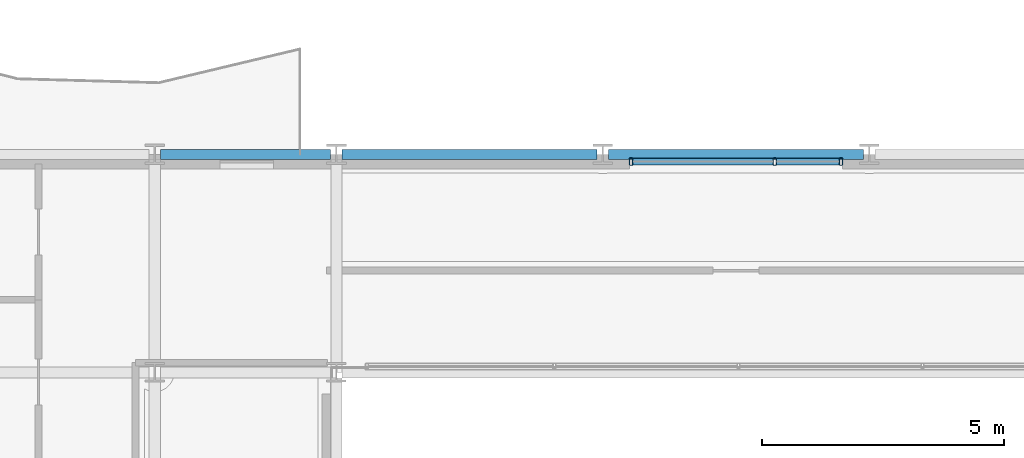
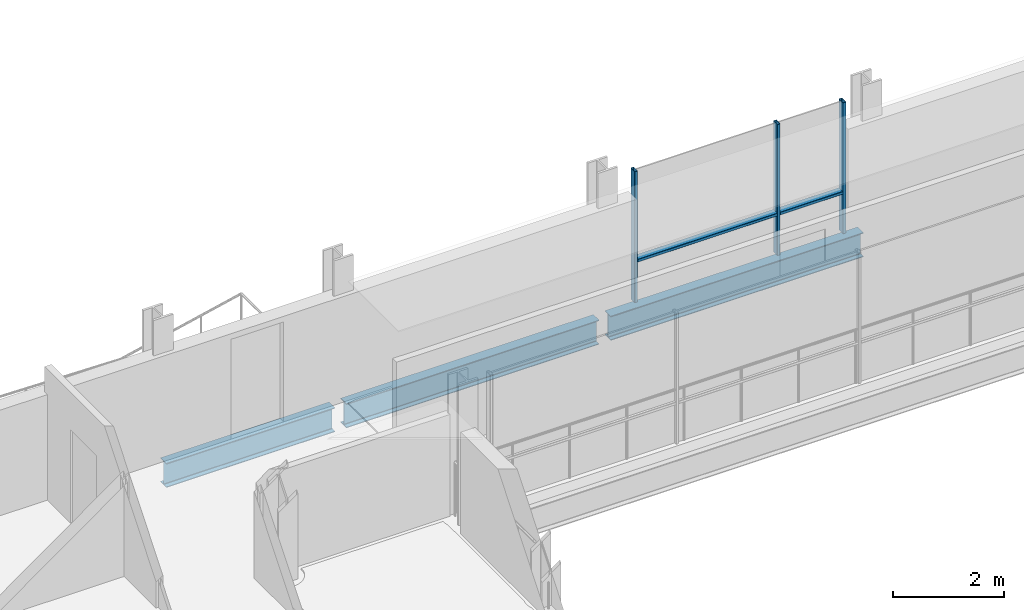
# One storey, part 24 of 41: 5 members, 3 beams, 1 element without a shape of its own.
"""IFC4 building model written with IfcOpenShell, lengths in metres."""

from ifc_helpers import new_model, si_unit, direction, frame, origin, origin_2d, place, context, subcontext, project, spatial, hollow_rectangle, i_section, extrude, material, layer, layer_set, material_profile, profile_set, type_object, element, aggregate, save


model = new_model("IFC4")

# Units and contexts
model_context = context("Model", 3, precision=1e-05, world=origin(), true_north=direction((0.0, 1.0)))
body_context = subcontext(model_context, "Body", "Model", "MODEL_VIEW")
ifc_project = project(units=[si_unit("LENGTHUNIT", "METRE"), si_unit("AREAUNIT", "SQUARE_METRE"), si_unit("VOLUMEUNIT", "CUBIC_METRE"), si_unit("PLANEANGLEUNIT", "RADIAN"), si_unit("MASSUNIT", "GRAM", prefix="KILO")], contexts=[model_context])

# Site, building, storey
site_placement = place(None, origin())
site = spatial("IfcSite", under=ifc_project, at=site_placement, CompositionType="ELEMENT")
building_placement = place(site_placement, origin())
building = spatial("IfcBuilding", under=site, at=building_placement, Name="Brevholm Reach", CompositionType="ELEMENT")
storey_placement = place(building_placement, frame((0.0, 0.0, 144.89990234375)))
storey = spatial("IfcBuildingStorey", under=building, at=storey_placement, Name="L43", CompositionType="ELEMENT", Elevation=144.89990234375)

# Beams
ifc_material_1 = material(Name="Structural Steel S355J2", Category="steel")
ifc_material_profile_1 = material_profile(ifc_material_1, i_section(OverallWidth=0.209228515625, OverallDepth=0.533203125, WebThickness=0.010009765625, FlangeThickness=0.015625, FilletRadius=0.0126953125, at=origin_2d()), Name="UKB 533x210x92")
ifc_profile_set_1 = profile_set([ifc_material_profile_1], Name="Structural Steel S355J2")
beam_type = type_object("IfcBeamType", Name="BM-SP533", PredefinedType="SPANDREL", material=ifc_profile_set_1)
beam_placement = place(storey_placement, frame((18.1201171875, 31.0, -0.486572265625), z_axis=(1.0, 0.0, 0.0), x_axis=(0.0, 1.0, 0.0)))
element("IfcBeam", 1, at=beam_placement, inside=storey, type_object=beam_type, Name="L43 SP-02 Framing Beam", PredefinedType="SPANDREL", context=body_context, shape_type="SweptSolid", body=[
    extrude(i_section(OverallWidth=0.209228515625, OverallDepth=0.533203125, WebThickness=0.010009765625, FlangeThickness=0.015625, FilletRadius=0.0126953125, at=origin_2d()), origin(), (0.0, 0.0, 1.0), 3.509765625),
])
for number, where, z_axis, x_axis, name in (
    (2, (21.8701171875, 31.0, -0.486572265625), (1.0, 0.0, 0.0), (0.0, 1.0, 0.0), "L43 SP-02 Framing Beam"),
    (3, (27.3701171875, 31.0, -0.486572265625), (1.0, 0.0, 0.0), (0.0, 1.0, 0.0), "L43 SP-02 Framing Beam"),
):
    element("IfcBeam", number, at=place(storey_placement, frame(where, z_axis=z_axis, x_axis=x_axis)), inside=storey, type_object=beam_type, Name=name, PredefinedType="SPANDREL", context=body_context, shape_type="SweptSolid", body=[
        extrude(i_section(OverallWidth=0.209228515625, OverallDepth=0.533203125, WebThickness=0.010009765625, FlangeThickness=0.015625, FilletRadius=0.0126953125, at=origin_2d()), origin(), (0.0, 0.0, 1.0), 5.259765625),
    ])

# Curtain wall, members
ifc_material_2 = material(Name="Dark Anodised Aluminium 6063-T6 and Solar-Control Glass", Category="aluminium")
ifc_layer = layer(ifc_material_2, 0.14990234375)
ifc_layer_set = layer_set([ifc_layer], Name="Dark Anodised Aluminium 6063-T6 and Solar-Control Glass")
curtain_wall_type = type_object("IfcCurtainWallType", Name="CW-01", PredefinedType="NOTDEFINED", material=ifc_layer_set)
curtain_wall_placement = place(storey_placement, origin())
curtain_wall = element("IfcCurtainWall", 4, at=curtain_wall_placement, inside=storey, type_object=curtain_wall_type, Name="L43 Curtain Wall CW-01", PredefinedType="NOTDEFINED")
ifc_material_3 = material(Name="Dark Anodised Aluminium 6063-T6", Category="aluminium")
ifc_material_profile_2 = material_profile(ifc_material_3, hollow_rectangle(XDim=0.06494140625, YDim=0.14990234375, WallThickness=0.0048828125, InnerFilletRadius=0.0048828125, OuterFilletRadius=0.010009765625, at=origin_2d()), Name="RHS 150x65x5")
ifc_profile_set_2 = profile_set([ifc_material_profile_2], Name="Dark Anodised Aluminium 6063-T6")
member_type_1 = type_object("IfcMemberType", Name="CWM-150", PredefinedType="MULLION", material=ifc_profile_set_2)
member_1_placement = place(storey_placement, frame((27.83251953125, 30.85009765625, 0.0), z_axis=(0.0, 0.0, 1.0), x_axis=(1.0, 0.0, 0.0)))
member_1 = element("IfcMember", 5, at=member_1_placement, type_object=member_type_1, Name="CM-150 Mullion 1", PredefinedType="MULLION", context=body_context, shape_type="SweptSolid", body=[
    extrude(hollow_rectangle(XDim=0.06494140625, YDim=0.14990234375, WallThickness=0.0048828125, InnerFilletRadius=0.0048828125, OuterFilletRadius=0.010009765625, at=origin_2d()), origin(), (0.0, 0.0, 1.0), 2.880126953125),
])
member_2_placement = place(storey_placement, frame((30.800048828125, 30.85009765625, 0.0), z_axis=(0.0, 0.0, 1.0), x_axis=(1.0, 0.0, 0.0)))
member_2 = element("IfcMember", 6, at=member_2_placement, type_object=member_type_1, Name="CM-150 Mullion 2", PredefinedType="MULLION", context=body_context, shape_type="SweptSolid", body=[
    extrude(hollow_rectangle(XDim=0.06494140625, YDim=0.14990234375, WallThickness=0.0048828125, InnerFilletRadius=0.0048828125, OuterFilletRadius=0.010009765625, at=origin_2d()), origin(), (0.0, 0.0, 1.0), 2.880126953125),
])
member_3_placement = place(storey_placement, frame((32.16748046875, 30.85009765625, 0.0), z_axis=(0.0, 0.0, 1.0), x_axis=(1.0, 0.0, 0.0)))
member_3 = element("IfcMember", 7, at=member_3_placement, type_object=member_type_1, Name="CM-150 Mullion 3", PredefinedType="MULLION", context=body_context, shape_type="SweptSolid", body=[
    extrude(hollow_rectangle(XDim=0.06494140625, YDim=0.14990234375, WallThickness=0.0048828125, InnerFilletRadius=0.0048828125, OuterFilletRadius=0.010009765625, at=origin_2d()), origin(), (0.0, 0.0, 1.0), 2.880126953125),
])
ifc_material_4 = material(Name="Dark Anodised Aluminium 6063-T6", Category="aluminium")
ifc_material_profile_3 = material_profile(ifc_material_4, hollow_rectangle(XDim=0.06494140625, YDim=0.14990234375, WallThickness=0.0048828125, InnerFilletRadius=0.0048828125, OuterFilletRadius=0.010009765625, at=origin_2d()), Name="RHS 150x65x5")
ifc_profile_set_3 = profile_set([ifc_material_profile_3], Name="Dark Anodised Aluminium 6063-T6")
member_type_2 = type_object("IfcMemberType", Name="CWT-150", PredefinedType="NOTDEFINED", material=ifc_profile_set_3)
member_4_placement = place(storey_placement, frame((27.864990234375, 30.85009765625, 0.900146484375), z_axis=(1.0, 0.0, 0.0), x_axis=(0.0, 0.0, 1.0)))
member_4 = element("IfcMember", 8, at=member_4_placement, type_object=member_type_2, Name="CT-150 Transom 1.1", ObjectType="TRANSOM", PredefinedType="USERDEFINED", context=body_context, shape_type="SweptSolid", body=[
    extrude(hollow_rectangle(XDim=0.06494140625, YDim=0.14990234375, WallThickness=0.0048828125, InnerFilletRadius=0.0048828125, OuterFilletRadius=0.010009765625, at=origin_2d()), origin(), (0.0, 0.0, 1.0), 2.902587890625),
])
member_5_placement = place(storey_placement, frame((30.83251953125, 30.85009765625, 0.900146484375), z_axis=(1.0, 0.0, 0.0), x_axis=(0.0, 0.0, 1.0)))
member_5 = element("IfcMember", 9, at=member_5_placement, type_object=member_type_2, Name="CT-150 Transom 2.1", ObjectType="TRANSOM", PredefinedType="USERDEFINED", context=body_context, shape_type="SweptSolid", body=[
    extrude(hollow_rectangle(XDim=0.06494140625, YDim=0.14990234375, WallThickness=0.0048828125, InnerFilletRadius=0.0048828125, OuterFilletRadius=0.010009765625, at=origin_2d()), origin(), (0.0, 0.0, 1.0), 1.302490234375),
])
aggregate(curtain_wall, [member_1, member_2, member_3, member_4, member_5])

save(model, "model.ifc")
